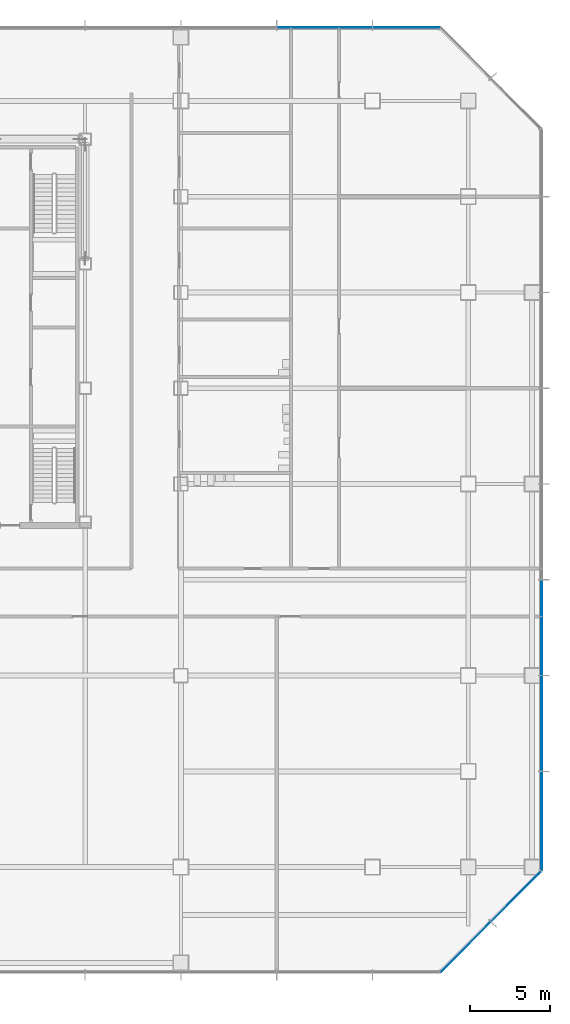
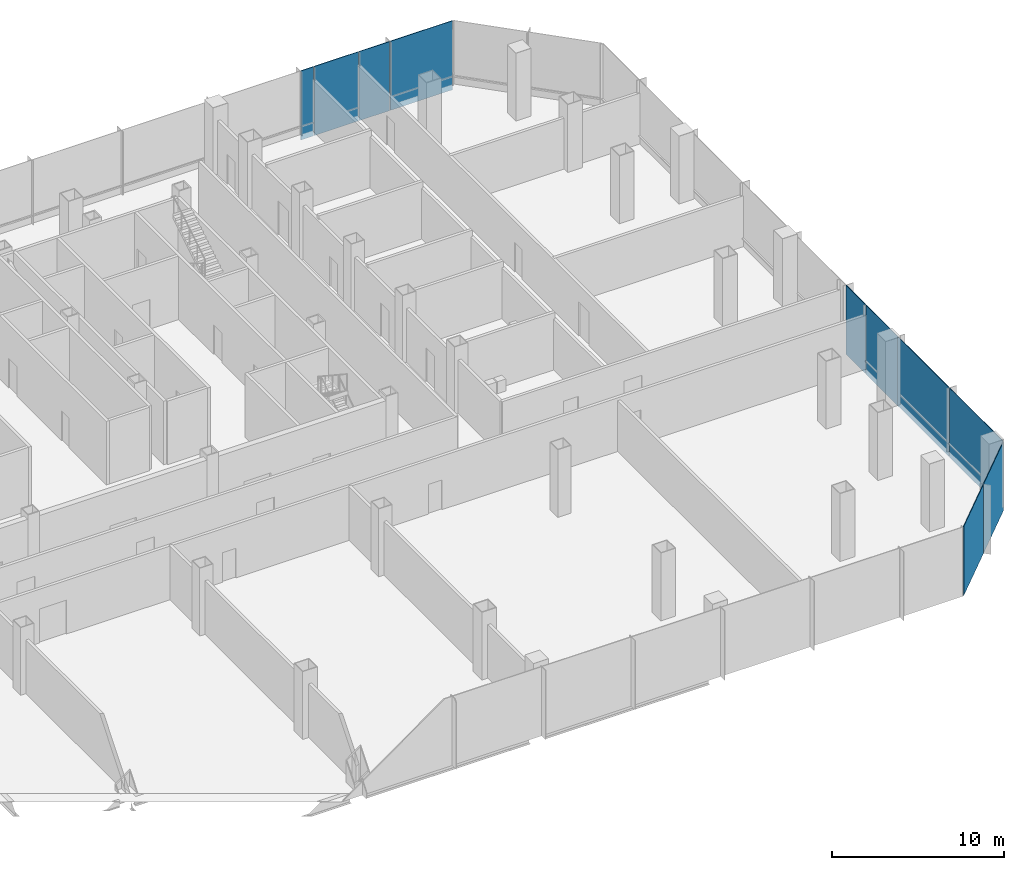
# One storey, part 21 of 34: 10 plates, 3 elements without a shape of their own.
"""IFC4 building model written with IfcOpenShell, lengths in metres."""

from ifc_helpers import new_model, si_unit, direction, frame, origin, origin_2d, place, context, subcontext, project, spatial, rectangle, extrude, material, layer, layer_set, type_object, element, aggregate, save


model = new_model("IFC4")

# Units and contexts
model_context = context("Model", 3, precision=1e-05, world=origin(), true_north=direction((0.0, 1.0)))
body_context = subcontext(model_context, "Body", "Model", "MODEL_VIEW")
ifc_project = project(units=[si_unit("LENGTHUNIT", "METRE"), si_unit("AREAUNIT", "SQUARE_METRE"), si_unit("VOLUMEUNIT", "CUBIC_METRE"), si_unit("PLANEANGLEUNIT", "RADIAN"), si_unit("MASSUNIT", "GRAM", prefix="KILO")], contexts=[model_context])

# Site, building, storey
site_placement = place(None, origin())
site = spatial("IfcSite", under=ifc_project, at=site_placement, CompositionType="ELEMENT")
building_placement = place(site_placement, origin())
building = spatial("IfcBuilding", under=site, at=building_placement, Name="Sorahane Residences", CompositionType="ELEMENT")
storey_placement = place(building_placement, frame((0.0, 0.0, 39.60009765625)))
storey = spatial("IfcBuildingStorey", under=building, at=storey_placement, Name="L06", CompositionType="ELEMENT", Elevation=39.60009765625)

# Curtain wall, plates
ifc_material_1 = material(Name="Dark low-e glass and black anodised aluminium", Category="aluminium")
curtain_wall_type = type_object("IfcCurtainWallType", Name="Curtain wall CW-3 Podium unitised wall", PredefinedType="NOTDEFINED", material=ifc_material_1)
curtain_wall_1_placement = place(storey_placement, origin())
curtain_wall_1 = element("IfcCurtainWall", 1, at=curtain_wall_1_placement, inside=storey, type_object=curtain_wall_type, Name="CW-3 curtain wall L06 SE1", PredefinedType="NOTDEFINED")
ifc_material_2 = material(Name="Dark low-e glass with black ceramic frit", Category="glass")
ifc_layer = layer(ifc_material_2, 0.0400390625)
ifc_layer_set = layer_set([ifc_layer], Name="Curtain wall glass panel dark low-e podium with black frit spandrel band")
plate_type = type_object("IfcPlateType", Name="Curtain wall glass panel dark low-e podium with black frit spandrel band", PredefinedType="CURTAIN_PANEL", material=ifc_layer_set)
plate_1_placement = place(storey_placement, frame((65.84521484375, -5.003173828125, -0.400146484375), z_axis=(0.0, 0.0, 1.0), x_axis=(0.707106781187, 0.707106781187, 0.0)))
plate_1 = element("IfcPlate", 2, at=plate_1_placement, type_object=plate_type, Name="CW-3 glass panel L06 SE1.1", PredefinedType="CURTAIN_PANEL", context=body_context, shape_type="SweptSolid", body=[
    extrude(rectangle(XDim=4.416259765625, YDim=0.0400390625, at=origin_2d()), origin(), (0.0, 0.0, 1.0), 4.89990234375),
])
plate_2_placement = place(storey_placement, frame((69.003173828125, -1.84521484375, -0.400146484375), z_axis=(0.0, 0.0, 1.0), x_axis=(0.707106781187, 0.707106781187, 0.0)))
plate_2 = element("IfcPlate", 3, at=plate_2_placement, type_object=plate_type, Name="CW-3 glass panel L06 SE1.2", PredefinedType="CURTAIN_PANEL", context=body_context, shape_type="SweptSolid", body=[
    extrude(rectangle(XDim=4.416259765625, YDim=0.0400390625, at=origin_2d()), origin(), (0.0, 0.0, 1.0), 4.89990234375),
])
aggregate(curtain_wall_1, [plate_1, plate_2])

curtain_wall_2_placement = place(storey_placement, origin())
curtain_wall_2 = element("IfcCurtainWall", 4, at=curtain_wall_2_placement, inside=storey, type_object=curtain_wall_type, Name="CW-3 curtain wall L06 E1", PredefinedType="NOTDEFINED")
plate_3_placement = place(storey_placement, frame((70.60009765625, 2.88818359375, -0.400146484375), z_axis=(0.0, 0.0, 1.0), x_axis=(0.0, 1.0, 0.0)))
plate_3 = element("IfcPlate", 5, at=plate_3_placement, type_object=plate_type, Name="CW-3 glass panel L06 E1.1", PredefinedType="CURTAIN_PANEL", context=body_context, shape_type="SweptSolid", body=[
    extrude(rectangle(XDim=6.173583984375, YDim=0.0400390625, at=origin_2d()), origin(), (0.0, 0.0, 1.0), 4.89990234375),
])
plate_4_placement = place(storey_placement, frame((70.60009765625, 9.0, -0.400146484375), z_axis=(0.0, 0.0, 1.0), x_axis=(0.0, 1.0, 0.0)))
plate_4 = element("IfcPlate", 6, at=plate_4_placement, type_object=plate_type, Name="CW-3 glass panel L06 E1.2", PredefinedType="CURTAIN_PANEL", context=body_context, shape_type="SweptSolid", body=[
    extrude(rectangle(XDim=5.949951171875, YDim=0.0400390625, at=origin_2d()), origin(), (0.0, 0.0, 1.0), 4.89990234375),
])
plate_5_placement = place(storey_placement, frame((70.60009765625, 13.85009765625, -0.400146484375), z_axis=(0.0, 0.0, 1.0), x_axis=(0.0, 1.0, 0.0)))
plate_5 = element("IfcPlate", 7, at=plate_5_placement, type_object=plate_type, Name="CW-3 glass panel L06 E1.3", PredefinedType="CURTAIN_PANEL", context=body_context, shape_type="SweptSolid", body=[
    extrude(rectangle(XDim=3.64990234375, YDim=0.0400390625, at=origin_2d()), origin(), (0.0, 0.0, 1.0), 4.89990234375),
])
plate_6_placement = place(storey_placement, frame((70.60009765625, 16.85009765625, -0.400146484375), z_axis=(0.0, 0.0, 1.0), x_axis=(0.0, 1.0, 0.0)))
plate_6 = element("IfcPlate", 8, at=plate_6_placement, type_object=plate_type, Name="CW-3 glass panel L06 E1.4", PredefinedType="CURTAIN_PANEL", context=body_context, shape_type="SweptSolid", body=[
    extrude(rectangle(XDim=2.25, YDim=0.0400390625, at=origin_2d()), origin(), (0.0, 0.0, 1.0), 4.89990234375),
])
aggregate(curtain_wall_2, [plate_3, plate_4, plate_5, plate_6])

curtain_wall_3_placement = place(storey_placement, origin())
curtain_wall_3 = element("IfcCurtainWall", 9, at=curtain_wall_3_placement, inside=storey, type_object=curtain_wall_type, Name="CW-3 curtain wall L06 N1", PredefinedType="NOTDEFINED")
plate_7_placement = place(storey_placement, frame((62.11181640625, 52.60009765625, -0.400146484375), z_axis=(0.0, 0.0, 1.0), x_axis=(-1.0, 0.0, 0.0)))
plate_7 = element("IfcPlate", 10, at=plate_7_placement, type_object=plate_type, Name="CW-3 glass panel L06 N1.1", PredefinedType="CURTAIN_PANEL", context=body_context, shape_type="SweptSolid", body=[
    extrude(rectangle(XDim=4.173583984375, YDim=0.0400390625, at=origin_2d()), origin(), (0.0, 0.0, 1.0), 4.89990234375),
])
plate_8_placement = place(storey_placement, frame((58.949951171875, 52.60009765625, -0.400146484375), z_axis=(0.0, 0.0, 1.0), x_axis=(-1.0, 0.0, 0.0)))
plate_8 = element("IfcPlate", 11, at=plate_8_placement, type_object=plate_type, Name="CW-3 glass panel L06 N1.2", PredefinedType="CURTAIN_PANEL", context=body_context, shape_type="SweptSolid", body=[
    extrude(rectangle(XDim=2.050048828125, YDim=0.0400390625, at=origin_2d()), origin(), (0.0, 0.0, 1.0), 4.89990234375),
])
plate_9_placement = place(storey_placement, frame((56.39990234375, 52.60009765625, -0.400146484375), z_axis=(0.0, 0.0, 1.0), x_axis=(-1.0, 0.0, 0.0)))
plate_9 = element("IfcPlate", 12, at=plate_9_placement, type_object=plate_type, Name="CW-3 glass panel L06 N1.3", PredefinedType="CURTAIN_PANEL", context=body_context, shape_type="SweptSolid", body=[
    extrude(rectangle(XDim=2.949951171875, YDim=0.0400390625, at=origin_2d()), origin(), (0.0, 0.0, 1.0), 4.89990234375),
])
plate_10_placement = place(storey_placement, frame((54.449951171875, 52.60009765625, -0.400146484375), z_axis=(0.0, 0.0, 1.0), x_axis=(-1.0, 0.0, 0.0)))
plate_10 = element("IfcPlate", 13, at=plate_10_placement, type_object=plate_type, Name="CW-3 glass panel L06 N1.4", PredefinedType="CURTAIN_PANEL", context=body_context, shape_type="SweptSolid", body=[
    extrude(rectangle(XDim=0.85009765625, YDim=0.0400390625, at=origin_2d()), origin(), (0.0, 0.0, 1.0), 4.89990234375),
])
aggregate(curtain_wall_3, [plate_7, plate_8, plate_9, plate_10])

save(model, "model.ifc")
